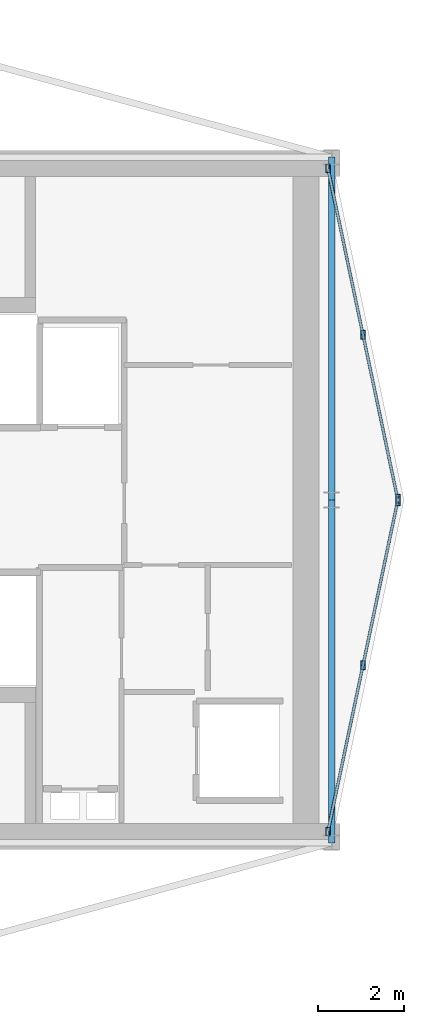
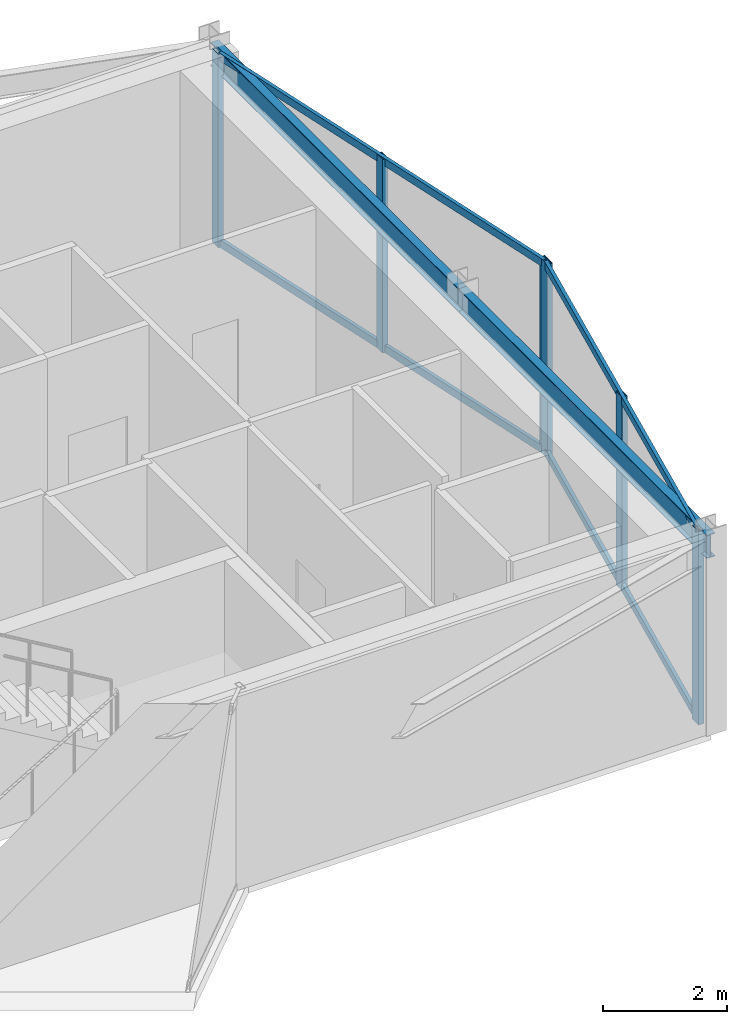
# One storey, part 7 of 13: 10 members, 2 beams, 2 elements without a shape of their own.
"""IFC4 building model written with IfcOpenShell, lengths in metres."""

from ifc_helpers import new_model, si_unit, direction, frame, origin, origin_2d, place, context, subcontext, project, spatial, hollow_rectangle, i_section, extrude, material, layer, layer_set, material_profile, profile_set, type_object, element, aggregate, save


model = new_model("IFC4")

# Units and contexts
model_context = context("Model", 3, precision=1e-05, world=origin(), true_north=direction((0.0, 1.0)))
body_context = subcontext(model_context, "Body", "Model", "MODEL_VIEW")
ifc_project = project(units=[si_unit("LENGTHUNIT", "METRE"), si_unit("AREAUNIT", "SQUARE_METRE"), si_unit("VOLUMEUNIT", "CUBIC_METRE"), si_unit("PLANEANGLEUNIT", "RADIAN"), si_unit("MASSUNIT", "GRAM", prefix="KILO")], contexts=[model_context])

# Site, building, storey
site_placement = place(None, origin())
site = spatial("IfcSite", under=ifc_project, at=site_placement, CompositionType="ELEMENT")
building_placement = place(site_placement, origin())
building = spatial("IfcBuilding", under=site, at=building_placement, Name="Veymaron Broadcast Tower", CompositionType="ELEMENT")
storey_placement = place(building_placement, frame((0.0, 0.0, 307.35009765625)))
storey = spatial("IfcBuildingStorey", under=building, at=storey_placement, Name="L72", CompositionType="ELEMENT", Elevation=307.35009765625)

# Beams
ifc_material_1 = material(Name="Structural steel ASTM A992 Gr 50", Category="steel")
ifc_material_profile_1 = material_profile(ifc_material_1, i_section(OverallWidth=0.154052734375, OverallDepth=0.458984375, WebThickness=0.009033203125, FlangeThickness=0.015380859375, at=origin_2d()), Name="W460X68")
ifc_profile_set_1 = profile_set([ifc_material_profile_1], Name="Structural steel ASTM A992 Gr 50")
beam_type = type_object("IfcBeamType", Name="BM-SP2", PredefinedType="SPANDREL", material=ifc_profile_set_1)
for number, where, z_axis, x_axis, name in (
    (1, (54.60009765625, 16.0, 3.580322265625), (0.0, 1.0, 0.0), (-1.0, 0.0, 0.0), "L72 primary structural floor girder"),
    (2, (54.60009765625, 24.0, 3.580322265625), (0.0, 1.0, 0.0), (-1.0, 0.0, 0.0), "L72 primary structural floor girder"),
):
    element("IfcBeam", number, at=place(storey_placement, frame(where, z_axis=z_axis, x_axis=x_axis)), inside=storey, type_object=beam_type, Name=name, PredefinedType="SPANDREL", context=body_context, shape_type="SweptSolid", body=[
        extrude(i_section(OverallWidth=0.154052734375, OverallDepth=0.458984375, WebThickness=0.009033203125, FlangeThickness=0.015380859375, at=origin_2d()), origin(), (0.0, 0.0, 1.0), 8.0),
    ])

# Curtain wall, members
ifc_material_2 = material(Name="Anodised aluminium AA 6063-T6 and laminated low-E dark glass", Category="aluminium")
ifc_layer = layer(ifc_material_2, 0.179931640625)
ifc_layer_set = layer_set([ifc_layer], Name="Anodised aluminium AA 6063-T6 and laminated low-E dark glass")
curtain_wall_type = type_object("IfcCurtainWallType", Name="CW-SYS-06", PredefinedType="NOTDEFINED", material=ifc_layer_set)
curtain_wall_1_placement = place(storey_placement, origin())
curtain_wall_1 = element("IfcCurtainWall", 3, at=curtain_wall_1_placement, inside=storey, type_object=curtain_wall_type, Name="L72 dark-glass curtain wall CW-L72-E2-1", PredefinedType="NOTDEFINED")
ifc_material_3 = material(Name="Anodised aluminium AA 6063-T6", Category="aluminium")
ifc_material_profile_2 = material_profile(ifc_material_3, hollow_rectangle(XDim=0.10009765625, YDim=0.199951171875, WallThickness=0.010009765625, at=origin_2d()), Name="RHS200X100X10")
ifc_profile_set_2 = profile_set([ifc_material_profile_2], Name="Anodised aluminium AA 6063-T6")
member_type_1 = type_object("IfcMemberType", Name="CW-MUL-01", PredefinedType="MULLION", material=ifc_profile_set_2)
member_1_placement = place(storey_placement, frame((54.51171875, 16.260498046875, 0.0), z_axis=(0.0, 0.0, 1.0), x_axis=(1.0, 0.0, 0.0)))
member_1 = element("IfcMember", 4, at=member_1_placement, type_object=member_type_1, Name="CW-L72-E2-1 mullion 0", PredefinedType="MULLION", context=body_context, shape_type="SweptSolid", body=[
    extrude(hollow_rectangle(XDim=0.10009765625, YDim=0.199951171875, WallThickness=0.010009765625, at=origin_2d()), origin(), (0.0, 0.0, 1.0), 3.809814453125),
])
member_2_placement = place(storey_placement, frame((55.33154296875, 20.14453125, 0.0), z_axis=(0.0, 0.0, 1.0), x_axis=(1.0, 0.0, 0.0)))
member_2 = element("IfcMember", 5, at=member_2_placement, type_object=member_type_1, Name="CW-L72-E2-1 mullion 1", PredefinedType="MULLION", context=body_context, shape_type="SweptSolid", body=[
    extrude(hollow_rectangle(XDim=0.10009765625, YDim=0.199951171875, WallThickness=0.010009765625, at=origin_2d()), origin(), (0.0, 0.0, 1.0), 3.809814453125),
])
member_3_placement = place(storey_placement, frame((56.1513671875, 24.02880859375, 0.0), z_axis=(0.0, 0.0, 1.0), x_axis=(1.0, 0.0, 0.0)))
member_3 = element("IfcMember", 6, at=member_3_placement, type_object=member_type_1, Name="CW-L72-E2-1 mullion 2", PredefinedType="MULLION", context=body_context, shape_type="SweptSolid", body=[
    extrude(hollow_rectangle(XDim=0.10009765625, YDim=0.199951171875, WallThickness=0.010009765625, at=origin_2d()), origin(), (0.0, 0.0, 1.0), 3.809814453125),
])

curtain_wall_2_placement = place(storey_placement, origin())
curtain_wall_2 = element("IfcCurtainWall", 7, at=curtain_wall_2_placement, inside=storey, type_object=curtain_wall_type, Name="L72 dark-glass curtain wall CW-L72-E3-1", PredefinedType="NOTDEFINED")
member_4_placement = place(storey_placement, frame((56.1513671875, 23.97119140625, 0.0), z_axis=(0.0, 0.0, 1.0), x_axis=(1.0, 0.0, 0.0)))
member_4 = element("IfcMember", 8, at=member_4_placement, type_object=member_type_1, Name="CW-L72-E3-1 mullion 0", PredefinedType="MULLION", context=body_context, shape_type="SweptSolid", body=[
    extrude(hollow_rectangle(XDim=0.10009765625, YDim=0.199951171875, WallThickness=0.010009765625, at=origin_2d()), origin(), (0.0, 0.0, 1.0), 3.809814453125),
])
member_5_placement = place(storey_placement, frame((55.33154296875, 27.85546875, 0.0), z_axis=(0.0, 0.0, 1.0), x_axis=(1.0, 0.0, 0.0)))
member_5 = element("IfcMember", 9, at=member_5_placement, type_object=member_type_1, Name="CW-L72-E3-1 mullion 1", PredefinedType="MULLION", context=body_context, shape_type="SweptSolid", body=[
    extrude(hollow_rectangle(XDim=0.10009765625, YDim=0.199951171875, WallThickness=0.010009765625, at=origin_2d()), origin(), (0.0, 0.0, 1.0), 3.809814453125),
])
member_6_placement = place(storey_placement, frame((54.51171875, 31.739501953125, 0.0), z_axis=(0.0, 0.0, 1.0), x_axis=(1.0, 0.0, 0.0)))
member_6 = element("IfcMember", 10, at=member_6_placement, type_object=member_type_1, Name="CW-L72-E3-1 mullion 2", PredefinedType="MULLION", context=body_context, shape_type="SweptSolid", body=[
    extrude(hollow_rectangle(XDim=0.10009765625, YDim=0.199951171875, WallThickness=0.010009765625, at=origin_2d()), origin(), (0.0, 0.0, 1.0), 3.809814453125),
])

# Member
ifc_material_profile_3 = material_profile(ifc_material_3, hollow_rectangle(XDim=0.06494140625, YDim=0.14990234375, WallThickness=0.00390625, at=origin_2d()), Name="AL150X65X4")
ifc_profile_set_3 = profile_set([ifc_material_profile_3], Name="Anodised aluminium AA 6063-T6")
member_type_2 = type_object("IfcMemberType", Name="CW-TRN-01", PredefinedType="USERDEFINED", material=ifc_profile_set_3)
member_7_placement = place(storey_placement, frame((54.522216796875, 16.309326171875, 0.06982421875), z_axis=(0.206501703547, 0.978446240951, 0.0), x_axis=(-0.978446240951, 0.206501703547, 0.0)))
member_7 = element("IfcMember", 11, at=member_7_placement, type_object=member_type_2, Name="CW-L72-E2-1 transom B", ObjectType="TRANSOM", PredefinedType="USERDEFINED", context=body_context, shape_type="SweptSolid", body=[
    extrude(hollow_rectangle(XDim=0.06494140625, YDim=0.14990234375, WallThickness=0.00390625, at=origin_2d()), origin(), (0.0, 0.0, 1.0), 7.839599609375),
])

member_8_placement = place(storey_placement, frame((54.522216796875, 16.309326171875, 3.739990234375), z_axis=(0.206501703547, 0.978446240951, 0.0), x_axis=(-0.978446240951, 0.206501703547, 0.0)))
member_8 = element("IfcMember", 12, at=member_8_placement, type_object=member_type_2, Name="CW-L72-E2-1 transom T", ObjectType="TRANSOM", PredefinedType="USERDEFINED", context=body_context, shape_type="SweptSolid", body=[
    extrude(hollow_rectangle(XDim=0.06494140625, YDim=0.14990234375, WallThickness=0.00390625, at=origin_2d()), origin(), (0.0, 0.0, 1.0), 7.839599609375),
])

aggregate(curtain_wall_1, [member_1, member_2, member_3, member_7, member_8])

member_9_placement = place(storey_placement, frame((56.14111328125, 24.02001953125, 0.06982421875), z_axis=(-0.206501703547, 0.978446240951, 0.0), x_axis=(-0.978446240951, -0.206501703547, 0.0)))
member_9 = element("IfcMember", 13, at=member_9_placement, type_object=member_type_2, Name="CW-L72-E3-1 transom B", ObjectType="TRANSOM", PredefinedType="USERDEFINED", context=body_context, shape_type="SweptSolid", body=[
    extrude(hollow_rectangle(XDim=0.06494140625, YDim=0.14990234375, WallThickness=0.00390625, at=origin_2d()), origin(), (0.0, 0.0, 1.0), 7.839599609375),
])

member_10_placement = place(storey_placement, frame((56.14111328125, 24.02001953125, 3.739990234375), z_axis=(-0.206501703547, 0.978446240951, 0.0), x_axis=(-0.978446240951, -0.206501703547, 0.0)))
member_10 = element("IfcMember", 14, at=member_10_placement, type_object=member_type_2, Name="CW-L72-E3-1 transom T", ObjectType="TRANSOM", PredefinedType="USERDEFINED", context=body_context, shape_type="SweptSolid", body=[
    extrude(hollow_rectangle(XDim=0.06494140625, YDim=0.14990234375, WallThickness=0.00390625, at=origin_2d()), origin(), (0.0, 0.0, 1.0), 7.839599609375),
])

aggregate(curtain_wall_2, [member_4, member_5, member_6, member_9, member_10])

save(model, "model.ifc")
